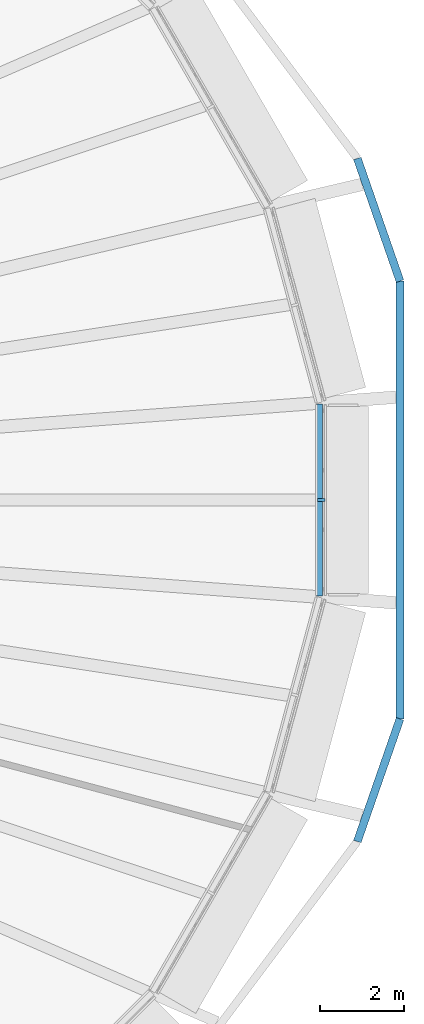
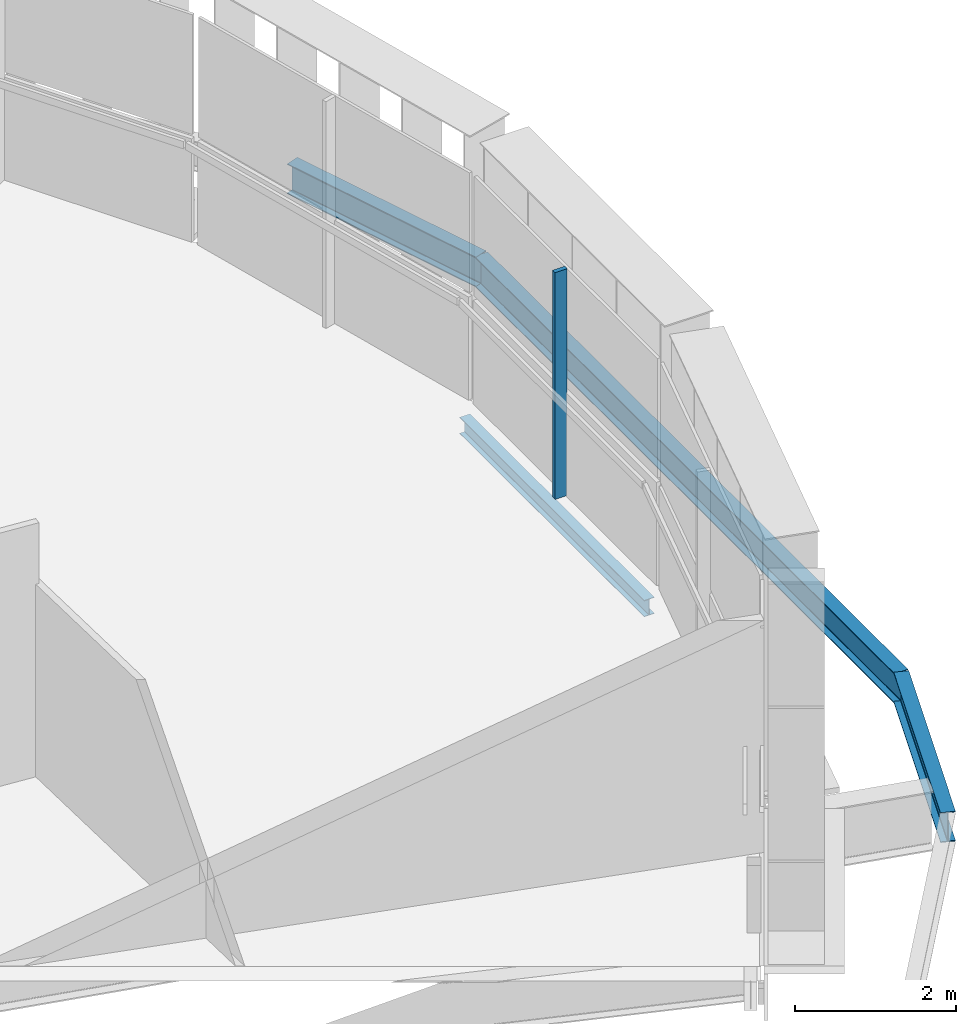
# One storey, part 9 of 23: 4 beams, 1 member, 1 element without a shape of its own.
"""IFC4 building model written with IfcOpenShell, lengths in metres."""

import ifcopenshell
import ifcopenshell.guid

model = None  # the IFC model being written
_history = None  # IfcOwnerHistory: only IFC2X3 demands one
_inside = {}  # id of a spatial element -> (the spatial element, [elements in it])
_under = {}  # id of a project, library or spatial element -> (it, [spatial elements below it])
_declared = {}  # id of a project -> (the project, [libraries it declares])
_typed = {}  # id of a type object -> (the type object, [elements of that type])
_made_of = {}  # id of a material, layer set ... -> (it, [elements and type objects made of it])


def new_model(schema):
    """Start an empty IFC model of exactly this schema.

    Asked for "IFC4X3", IfcOpenShell would pick the latest addendum, in which some entities
    have other attributes; the version numbers below select the first issue.
    IFC2X3 requires an IfcOwnerHistory on every rooted entity: one is made here for all.
    """
    global model, _history
    if schema == "IFC4X3":
        model = ifcopenshell.file(schema_version=(4, 3, 0, 0))
    else:
        model = ifcopenshell.file(schema=schema)
    _inside.clear()
    _under.clear()
    _declared.clear()
    _typed.clear()
    _made_of.clear()
    _history = None
    if model.schema == "IFC2X3":
        org = make("IfcOrganization", Name="unknown")
        user = make(
            "IfcPersonAndOrganization",
            ThePerson=make("IfcPerson", FamilyName="unknown"),
            TheOrganization=org,
        )
        app = make(
            "IfcApplication",
            ApplicationDeveloper=org,
            Version="unknown",
            ApplicationFullName="unknown",
            ApplicationIdentifier="unknown",
        )
        _history = make(
            "IfcOwnerHistory",
            OwningUser=user,
            OwningApplication=app,
            ChangeAction="ADDED",
            CreationDate=0,
        )
    return model


def make(cls, **values):
    """One entity of the class cls with the attributes given. An attribute that is None is left unset."""
    return model.create_entity(
        cls, **{name: value for name, value in values.items() if value is not None}
    )


def rooted(cls, **values):
    """An entity with a GlobalId (a new one), such as an element, a storey or a relation."""
    return make(cls, GlobalId=ifcopenshell.guid.new(), OwnerHistory=_history, **values)


def si_unit(unit_type, name, prefix=None):
    """IfcSIUnit, for example si_unit("LENGTHUNIT", "METRE", prefix="MILLI")."""
    return make("IfcSIUnit", UnitType=unit_type, Prefix=prefix, Name=name)


def assignment(units):
    """IfcUnitAssignment: the units of a project."""
    return None if units is None else make("IfcUnitAssignment", Units=units)


def point(xyz):
    """IfcCartesianPoint."""
    return None if xyz is None else make("IfcCartesianPoint", Coordinates=xyz)


def direction(xyz):
    """IfcDirection."""
    return None if xyz is None else make("IfcDirection", DirectionRatios=xyz)


def frame(location, z_axis=None, x_axis=None):
    """IfcAxis2Placement3D, a coordinate frame: its origin and axes. An axis left out is left unset."""
    return make(
        "IfcAxis2Placement3D",
        Location=point(location),
        Axis=direction(z_axis),
        RefDirection=direction(x_axis),
    )


def frame_2d(location, x_axis=None):
    """IfcAxis2Placement2D, a coordinate frame in the plane: its origin and x axis."""
    return make(
        "IfcAxis2Placement2D", Location=point(location), RefDirection=direction(x_axis)
    )


def origin():
    """The frame at (0, 0, 0) with its axes left unset."""
    return frame((0.0, 0.0, 0.0))


def origin_2d():
    """The frame at (0, 0) in the plane with its x axis left unset."""
    return frame_2d((0.0, 0.0))


def place(relative_to, where):
    """IfcLocalPlacement: puts the frame where relative to a parent placement (None: the world)."""
    return make(
        "IfcLocalPlacement", PlacementRelTo=relative_to, RelativePlacement=where
    )


def context(
    kind, dimensions, precision=None, world=None, true_north=None, identifier=None
):
    """IfcGeometricRepresentationContext, for example the 3D "Model" context."""
    return make(
        "IfcGeometricRepresentationContext",
        ContextIdentifier=identifier,
        ContextType=kind,
        CoordinateSpaceDimension=dimensions,
        Precision=precision,
        WorldCoordinateSystem=world,
        TrueNorth=true_north,
    )


def subcontext(parent, identifier, kind, view, scale=None):
    """IfcGeometricRepresentationSubContext, for example "Body" below "Model"."""
    return make(
        "IfcGeometricRepresentationSubContext",
        ContextIdentifier=identifier,
        ContextType=kind,
        ParentContext=parent,
        TargetScale=scale,
        TargetView=view,
    )


def project(units=None, contexts=None):
    """IfcProject with its units and contexts."""
    return rooted(
        "IfcProject",
        Name="project",
        RepresentationContexts=contexts,
        UnitsInContext=assignment(units),
    )


def spatial(cls, under=None, at=None, **own):
    """A site, building, storey or space (cls), placed at a placement, below another one or the project."""
    s = rooted(cls, ObjectPlacement=at, **own)
    if under is not None:
        _under.setdefault(under.id(), (under, []))[1].append(s)
    return s


def profile(cls, at=None, kind="AREA", **sizes):
    """A parametric profile (cls). Its sizes go by their IFC names, for example OverallWidth=200.0."""
    return make(cls, ProfileType=kind, Position=at, **sizes)


def rectangle(**sizes):
    """IfcRectangleProfileDef."""
    return profile("IfcRectangleProfileDef", **sizes)


def i_section(**sizes):
    """IfcIShapeProfileDef."""
    return profile("IfcIShapeProfileDef", **sizes)


def extrude(swept, where, along, depth):
    """IfcExtrudedAreaSolid: the profile swept, set in the frame where, extruded along a direction by depth."""
    return make(
        "IfcExtrudedAreaSolid",
        SweptArea=swept,
        Position=where,
        ExtrudedDirection=direction(along),
        Depth=depth,
    )


def shape(context_of_items, identifier, shape_type, items):
    """IfcShapeRepresentation: the items that make up one representation, for example the "Body"."""
    return make(
        "IfcShapeRepresentation",
        ContextOfItems=context_of_items,
        RepresentationIdentifier=identifier,
        RepresentationType=shape_type,
        Items=items,
    )


def material(Name=None, Category=None):
    """IfcMaterial."""
    return make("IfcMaterial", Name=Name, Category=Category)


def layer(
    of_material, thickness, ventilated=None, Name=None, Category=None, Priority=None
):
    """IfcMaterialLayer: one layer of a wall or slab, of a material (None: an air gap)."""
    return make(
        "IfcMaterialLayer",
        Material=of_material,
        LayerThickness=thickness,
        IsVentilated=ventilated,
        Name=Name,
        Category=Category,
        Priority=Priority,
    )


def layer_set(layers, Name=None):
    """IfcMaterialLayerSet."""
    return make("IfcMaterialLayerSet", MaterialLayers=layers, LayerSetName=Name)


def material_profile(
    of_material, cross_section, Name=None, Category=None, Priority=None
):
    """IfcMaterialProfile: a cross section and its material."""
    return make(
        "IfcMaterialProfile",
        Name=Name,
        Material=of_material,
        Profile=cross_section,
        Priority=Priority,
        Category=Category,
    )


def profile_set(profiles, Name=None, composite=None):
    """IfcMaterialProfileSet."""
    return make(
        "IfcMaterialProfileSet",
        Name=Name,
        MaterialProfiles=profiles,
        CompositeProfile=composite,
    )


def made_of(thing, what):
    """Note that an element or type object is made of a material, layer set ...; save() writes the relation."""
    if what is not None:
        _made_of.setdefault(what.id(), (what, []))[1].append(thing)
    return thing


def type_object(cls, material=None, **own):
    """A type object (cls), such as IfcWallType, which elements share."""
    return made_of(rooted(cls, **own), material)


def element(
    cls,
    number,
    at=None,
    inside=None,
    cuts=None,
    type_object=None,
    material=None,
    context=None,
    identifier="Body",
    shape_type=None,
    held_by="IfcProductDefinitionShape",
    body=None,
    shapes=None,
    **own,
):
    """One element of the class cls, such as IfcWall. Its Tag is "e" and its number.

    at: its placement. inside: the storey or other place that contains it. cuts: it is an
    opening in that element (IfcRelVoidsElement). A single representation is given by context,
    identifier, shape_type and body (its items); several are given by shapes. held_by: the class
    of the entity that holds the representations. save() writes the other relations.
    """
    e = rooted(cls, Tag="e%d" % number, ObjectPlacement=at, **own)
    if body is not None:
        shapes = [shape(context, identifier, shape_type, body)]
    if shapes is not None:
        e.Representation = make(held_by, Representations=shapes)
    if inside is not None:
        _inside.setdefault(inside.id(), (inside, []))[1].append(e)
    if cuts is not None:
        rooted(
            "IfcRelVoidsElement", RelatingBuildingElement=cuts, RelatedOpeningElement=e
        )
    if type_object is not None:
        _typed.setdefault(type_object.id(), (type_object, []))[1].append(e)
    return made_of(e, material)


def aggregate(whole, parts):
    """IfcRelAggregates: a whole, such as a stair, and the parts it consists of."""
    return rooted("IfcRelAggregates", RelatingObject=whole, RelatedObjects=parts)


def save(model, path):
    """Write the relations noted so far, then the file.

    IfcRelAggregates (storeys below a building ...), IfcRelContainedInSpatialStructure (elements
    in a storey), IfcRelDefinesByType, IfcRelAssociatesMaterial and IfcRelDeclares: one each for
    every whole, place, type object, material and project.
    """
    for whole, parts in _under.values():
        aggregate(whole, parts)
    for where, things in _inside.values():
        rooted(
            "IfcRelContainedInSpatialStructure",
            RelatedElements=things,
            RelatingStructure=where,
        )
    for kind, things in _typed.values():
        rooted("IfcRelDefinesByType", RelatedObjects=things, RelatingType=kind)
    for what, things in _made_of.values():
        rooted("IfcRelAssociatesMaterial", RelatedObjects=things, RelatingMaterial=what)
    for by, libraries in _declared.values():
        rooted("IfcRelDeclares", RelatingContext=by, RelatedDefinitions=libraries)
    model.write(path)


model = new_model("IFC4")

# Units and contexts
model_context = context("Model", 3, precision=1e-05, world=origin(), true_north=direction((0.0, 1.0)))
body_context = subcontext(model_context, "Body", "Model", "MODEL_VIEW")
ifc_project = project(units=[si_unit("LENGTHUNIT", "METRE"), si_unit("AREAUNIT", "SQUARE_METRE"), si_unit("VOLUMEUNIT", "CUBIC_METRE"), si_unit("PLANEANGLEUNIT", "RADIAN"), si_unit("MASSUNIT", "GRAM", prefix="KILO")], contexts=[model_context])

# Site, building, storey
site_placement = place(None, origin())
site = spatial("IfcSite", under=ifc_project, at=site_placement, CompositionType="ELEMENT")
building_placement = place(site_placement, origin())
building = spatial("IfcBuilding", under=site, at=building_placement, Name="Sahrelin Media Tower", CompositionType="ELEMENT")
storey_placement = place(building_placement, frame((0.0, 0.0, 169.60009765625)))
storey = spatial("IfcBuildingStorey", under=building, at=storey_placement, Name="L35", CompositionType="ELEMENT", Elevation=169.60009765625)

# Beam
ifc_material_1 = material(Name="Steel S355", Category="steel")
ifc_material_profile_1 = material_profile(ifc_material_1, i_section(OverallWidth=0.14599609375, OverallDepth=0.25146484375, WebThickness=0.006103515625, FlangeThickness=0.008544921875, FilletRadius=0.007568359375, at=origin_2d()), Name="UB 254x146x31")
ifc_profile_set_1 = profile_set([ifc_material_profile_1], Name="Steel S355")
beam_type_1 = type_object("IfcBeamType", Name="Edge beam EB1", PredefinedType="BEAM", material=ifc_profile_set_1)
beam_1_placement = place(storey_placement, frame((31.06640625, 2.298095703125, -0.27587890625), z_axis=(0.0, -1.0, 0.0), x_axis=(1.0, 0.0, 0.0)))
element("IfcBeam", 1, at=beam_1_placement, inside=storey, type_object=beam_type_1, Name="Edge beam L35-01", PredefinedType="BEAM", context=body_context, shape_type="SweptSolid", body=[
    extrude(i_section(OverallWidth=0.14599609375, OverallDepth=0.25146484375, WebThickness=0.006103515625, FlangeThickness=0.008544921875, FilletRadius=0.007568359375, at=origin_2d()), origin(), (0.0, 0.0, 1.0), 4.59619140625),
])

# Curtain wall, member
ifc_material_2 = material(Name="Champagne anodised aluminium 6063-T6", Category="aluminium")
ifc_layer = layer(ifc_material_2, 0.14990234375)
ifc_layer_set = layer_set([ifc_layer], Name="Tower ribbon curtain wall")
curtain_wall_type = type_object("IfcCurtainWallType", Name="Tower ribbon curtain wall", PredefinedType="NOTDEFINED", material=ifc_layer_set)
curtain_wall_placement = place(storey_placement, frame((31.216552734375, 0.0, 0.0), z_axis=(0.0, 0.0, 1.0), x_axis=(1.0, 0.0, 0.0)))
curtain_wall = element("IfcCurtainWall", 2, at=curtain_wall_placement, inside=storey, type_object=curtain_wall_type, Name="L35:CW:L35-00", PredefinedType="NOTDEFINED")
ifc_material_profile_2 = material_profile(ifc_material_2, rectangle(XDim=0.06005859375, YDim=0.175048828125, at=origin_2d()), Name="Mullion 60x175")
ifc_profile_set_2 = profile_set([ifc_material_profile_2], Name="Champagne anodised aluminium 6063-T6")
member_type = type_object("IfcMemberType", Name="Mullion 60x175 CW1B", PredefinedType="MULLION", material=ifc_profile_set_2)
member_placement = place(storey_placement, frame((31.10888671875, 0.0, 0.0), z_axis=(0.0, 0.0, 1.0), x_axis=(0.0, 1.0, 0.0)))
member = element("IfcMember", 3, at=member_placement, type_object=member_type, Name="L35:CWM:L35-00", PredefinedType="MULLION", context=body_context, shape_type="SweptSolid", body=[
    extrude(rectangle(XDim=0.06005859375, YDim=0.175048828125, at=origin_2d()), origin(), (0.0, 0.0, 1.0), 3.448486328125),
])
aggregate(curtain_wall, [member])

# Beams
ifc_material_profile_3 = material_profile(ifc_material_1, i_section(OverallWidth=0.1904296875, OverallDepth=0.45703125, WebThickness=0.009033203125, FlangeThickness=0.014404296875, FilletRadius=0.01025390625, at=origin_2d()), Name="UB 457x191x74")
ifc_profile_set_3 = profile_set([ifc_material_profile_3], Name="Steel S355")
beam_type_2 = type_object("IfcBeamType", Name="Tie chord TC5", PredefinedType="BEAM", material=ifc_profile_set_3)
for number, where, z_axis, x_axis, name in (
    (4, (32.99560546875, 5.232666015625, -0.378662109375), (-0.328788825537, 0.944403466852, 0.0), (-0.944403466852, -0.328788825537, 0.0), "Tie chord L35-01"),
    (5, (31.97412109375, -8.166748046875, -0.378662109375), (0.328788825537, 0.944403466852, 0.0), (-0.944403466852, 0.328788825537, 0.0), "Tie chord L35-23"),
):
    element("IfcBeam", number, at=place(storey_placement, frame(where, z_axis=z_axis, x_axis=x_axis)), inside=storey, type_object=beam_type_2, Name=name, PredefinedType="BEAM", context=body_context, shape_type="SweptSolid", body=[
        extrude(i_section(OverallWidth=0.1904296875, OverallDepth=0.45703125, WebThickness=0.009033203125, FlangeThickness=0.014404296875, FilletRadius=0.01025390625, at=origin_2d()), origin(), (0.0, 0.0, 1.0), 3.106689453125),
    ])
beam_2_placement = place(storey_placement, frame((32.99560546875, -5.232666015625, -0.378662109375), z_axis=(0.0, 1.0, 0.0), x_axis=(-1.0, 0.0, 0.0)))
element("IfcBeam", 6, at=beam_2_placement, inside=storey, type_object=beam_type_2, Name="Tie chord L35-24", PredefinedType="BEAM", context=body_context, shape_type="SweptSolid", body=[
    extrude(i_section(OverallWidth=0.1904296875, OverallDepth=0.45703125, WebThickness=0.009033203125, FlangeThickness=0.014404296875, FilletRadius=0.01025390625, at=origin_2d()), origin(), (0.0, 0.0, 1.0), 10.46533203125),
])

save(model, "model.ifc")
